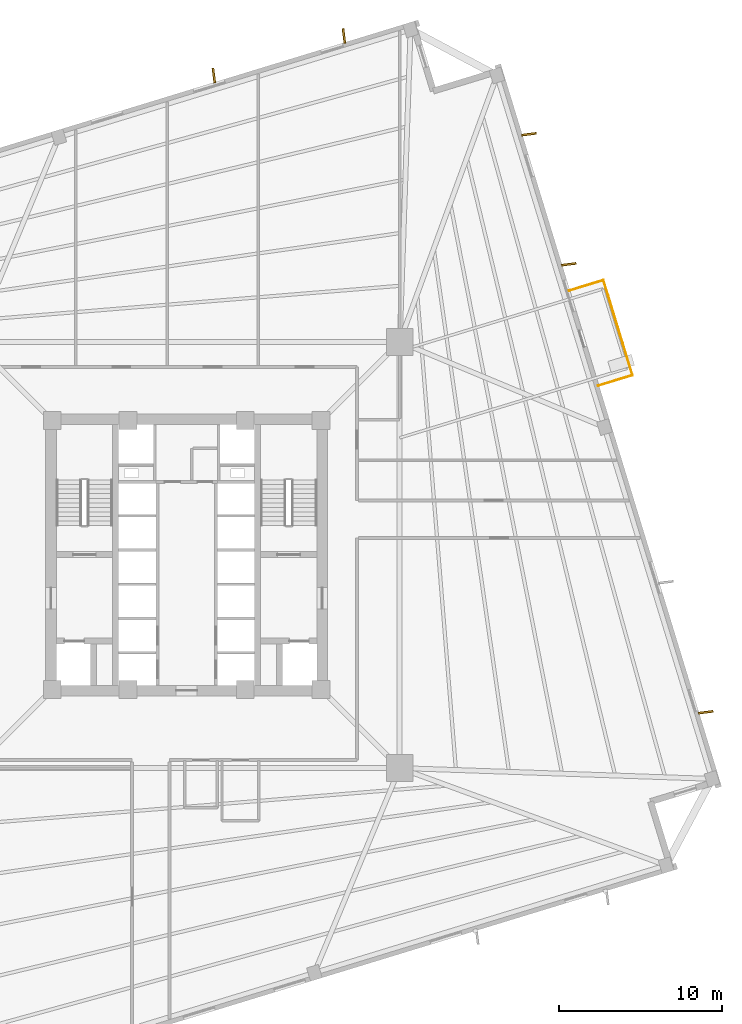
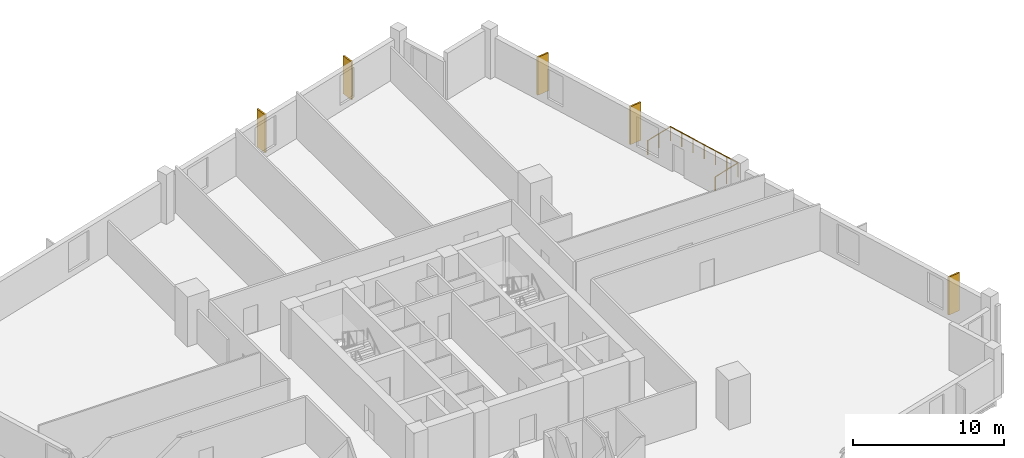
# One storey, part 9 of 9: 5 coverings, 3 railings.
"""IFC4 building model written with IfcOpenShell, lengths in metres."""

from ifc_helpers import new_model, si_unit, direction, frame, origin, origin_2d, place, context, subcontext, project, spatial, rectangle, circle, extrude, source, transform, mapped, material, layer, layer_set, type_object, element, save


model = new_model("IFC4")

# Units and contexts
model_context = context("Model", 3, precision=1e-05, world=origin(), true_north=direction((0.0, 1.0)))
body_context = subcontext(model_context, "Body", "Model", "MODEL_VIEW")
ifc_project = project(units=[si_unit("LENGTHUNIT", "METRE"), si_unit("AREAUNIT", "SQUARE_METRE"), si_unit("VOLUMEUNIT", "CUBIC_METRE"), si_unit("PLANEANGLEUNIT", "RADIAN"), si_unit("MASSUNIT", "GRAM", prefix="KILO"), si_unit("THERMODYNAMICTEMPERATUREUNIT", "KELVIN")], contexts=[model_context])

# Site, building, storey
site_placement = place(None, origin())
site = spatial("IfcSite", under=ifc_project, at=site_placement, CompositionType="ELEMENT")
building_placement = place(site_placement, origin())
building = spatial("IfcBuilding", under=site, at=building_placement, Name="Kosmvard Interchange Tower", CompositionType="ELEMENT")
storey_placement = place(building_placement, frame((0.0, 0.0, 83.199951171875)))
storey = spatial("IfcBuildingStorey", under=building, at=storey_placement, Name="L19", CompositionType="ELEMENT", Elevation=83.199951171875)

# Coverings
ifc_material_1 = material(Name="Architectural anodised aluminium", Category="aluminium")
ifc_layer = layer(ifc_material_1, 0.1201171875, Name="Architectural anodised aluminium")
ifc_layer_set = layer_set([ifc_layer], Name="Architectural anodised aluminium")
covering_type = type_object("IfcCoveringType", Name="Rotating Vertical Sun-Breaker Fin 900x120 Aluminium", PredefinedType="CLADDING", material=ifc_layer_set)
shared_shape_1 = source(origin(), body_context, "Body", "SweptSolid", [
    extrude(rectangle(XDim=0.89990234375, YDim=0.1201171875, at=origin_2d()), origin(), (0.0, 0.0, 1.0), 3.06005859375),
])
for number, where, z_axis, x_axis, name in (
    (1, (31.865966796875, -9.6572265625, 0.0400390625), (0.0, 0.0, 1.0), (0.991872250525, 0.127237724904, 0.0), "L19 Rotating Vertical Sun-Breaker Fin 05"),
    (2, (23.45849609375, 17.841796875, 0.0400390625), (0.0, 0.0, 1.0), (0.991872250525, 0.127237724904, 0.0), "L19 Rotating Vertical Sun-Breaker Fin 07"),
    (3, (21.017822265625, 25.825439453125, 0.0400390625), (0.0, 0.0, 1.0), (0.991872250525, 0.127237724904, 0.0), "L19 Rotating Vertical Sun-Breaker Fin 08"),
    (4, (9.6572265625, 31.865966796875, 0.0400390625), (0.0, 0.0, 1.0), (-0.127237724904, 0.991872250525, 0.0), "L19 Rotating Vertical Sun-Breaker Fin 09"),
    (5, (1.673583984375, 29.425048828125, 0.0400390625), (0.0, 0.0, 1.0), (-0.127237724904, 0.991872250525, 0.0), "L19 Rotating Vertical Sun-Breaker Fin 10"),
):
    element("IfcCovering", number, at=place(storey_placement, frame(where, z_axis=z_axis, x_axis=x_axis)), inside=storey, type_object=covering_type, Name=name, PredefinedType="CLADDING", context=body_context, shape_type="MappedRepresentation", body=[
        mapped(shared_shape_1, transform((0.0, 0.0, 0.0), scale=1.0)),
    ])

# Railings
ifc_material_2 = material(Name="Steel S355", Category="steel")
railing_type = type_object("IfcRailingType", Name="Observation & Balcony Glass-Infill Balustrade 1150", PredefinedType="BALUSTRADE", material=ifc_material_2)
shared_shape_2 = source(origin(), body_context, "Body", "SweptSolid", [
    extrude(circle(Radius=0.02392578125, at=origin_2d()), frame((0.0, 0.0, 1.1259765625), z_axis=(0.956329170869, 0.292291835236, 0.0), x_axis=(-0.292291835236, 0.956329170869, 0.0)), (0.0, 0.0, 1.0), 2.2001953125),
    extrude(circle(Radius=0.02099609375, at=origin_2d()), origin(), (0.0, 0.0, 1.0), 1.101806640625),
    extrude(circle(Radius=0.02099609375, at=origin_2d()), frame((1.052001953125, 0.321533203125, 0.0)), (0.0, 0.0, 1.0), 1.101806640625),
    extrude(circle(Radius=0.02099609375, at=origin_2d()), frame((2.10400390625, 0.64306640625, 0.0)), (0.0, 0.0, 1.0), 1.101806640625),
])
railing_1_placement = place(storey_placement, frame((25.265869140625, 10.39111328125, 0.0)))
element("IfcRailing", 6, at=railing_1_placement, inside=storey, type_object=railing_type, Name="L19 Outdoor Terrace Guard BAL-L19-E-A", PredefinedType="BALUSTRADE", context=body_context, shape_type="MappedRepresentation", body=[
    mapped(shared_shape_2, transform((0.0, 0.0, 0.0), scale=1.0)),
])
shared_shape_3 = source(origin(), body_context, "Body", "SweptSolid", [
    extrude(circle(Radius=0.02392578125, at=origin_2d()), frame((0.0, 0.0, 1.1259765625), z_axis=(-0.292366986664, 0.956306198406, 0.0), x_axis=(-0.956306198406, -0.292366986664, 0.0)), (0.0, 0.0, 1.0), 6.10009765625),
    extrude(circle(Radius=0.02099609375, at=origin_2d()), origin(), (0.0, 0.0, 1.0), 1.101806640625),
    extrude(circle(Radius=0.02099609375, at=origin_2d()), frame((-0.29736328125, 0.97216796875, 0.0)), (0.0, 0.0, 1.0), 1.101806640625),
    extrude(circle(Radius=0.02099609375, at=origin_2d()), frame((-0.594482421875, 1.944580078125, 0.0)), (0.0, 0.0, 1.0), 1.101806640625),
    extrude(circle(Radius=0.02099609375, at=origin_2d()), frame((-0.8916015625, 2.916748046875, 0.0)), (0.0, 0.0, 1.0), 1.101806640625),
    extrude(circle(Radius=0.02099609375, at=origin_2d()), frame((-1.18896484375, 3.888916015625, 0.0)), (0.0, 0.0, 1.0), 1.101806640625),
    extrude(circle(Radius=0.02099609375, at=origin_2d()), frame((-1.486328125, 4.861328125, 0.0)), (0.0, 0.0, 1.0), 1.101806640625),
    extrude(circle(Radius=0.02099609375, at=origin_2d()), frame((-1.783447265625, 5.83349609375, 0.0)), (0.0, 0.0, 1.0), 1.101806640625),
])
railing_2_placement = place(storey_placement, frame((27.369873046875, 11.0341796875, 0.0)))
element("IfcRailing", 7, at=railing_2_placement, inside=storey, type_object=railing_type, Name="L19 Outdoor Terrace Guard BAL-L19-E-B", PredefinedType="BALUSTRADE", context=body_context, shape_type="MappedRepresentation", body=[
    mapped(shared_shape_3, transform((0.0, 0.0, 0.0), scale=1.0)),
])
shared_shape_4 = source(origin(), body_context, "Body", "SweptSolid", [
    extrude(circle(Radius=0.02392578125, at=origin_2d()), frame((0.0, 0.0, 1.1259765625), z_axis=(-0.956329170869, -0.292291835236, 0.0), x_axis=(0.292291835236, -0.956329170869, 0.0)), (0.0, 0.0, 1.0), 2.2001953125),
    extrude(circle(Radius=0.02099609375, at=origin_2d()), origin(), (0.0, 0.0, 1.0), 1.101806640625),
    extrude(circle(Radius=0.02099609375, at=origin_2d()), frame((-1.052001953125, -0.321533203125, 0.0)), (0.0, 0.0, 1.0), 1.101806640625),
    extrude(circle(Radius=0.02099609375, at=origin_2d()), frame((-2.10400390625, -0.64306640625, 0.0)), (0.0, 0.0, 1.0), 1.101806640625),
])
railing_3_placement = place(storey_placement, frame((25.58642578125, 16.86767578125, 0.0)))
element("IfcRailing", 8, at=railing_3_placement, inside=storey, type_object=railing_type, Name="L19 Outdoor Terrace Guard BAL-L19-E-C", PredefinedType="BALUSTRADE", context=body_context, shape_type="MappedRepresentation", body=[
    mapped(shared_shape_4, transform((0.0, 0.0, 0.0), scale=1.0)),
])

save(model, "model.ifc")
